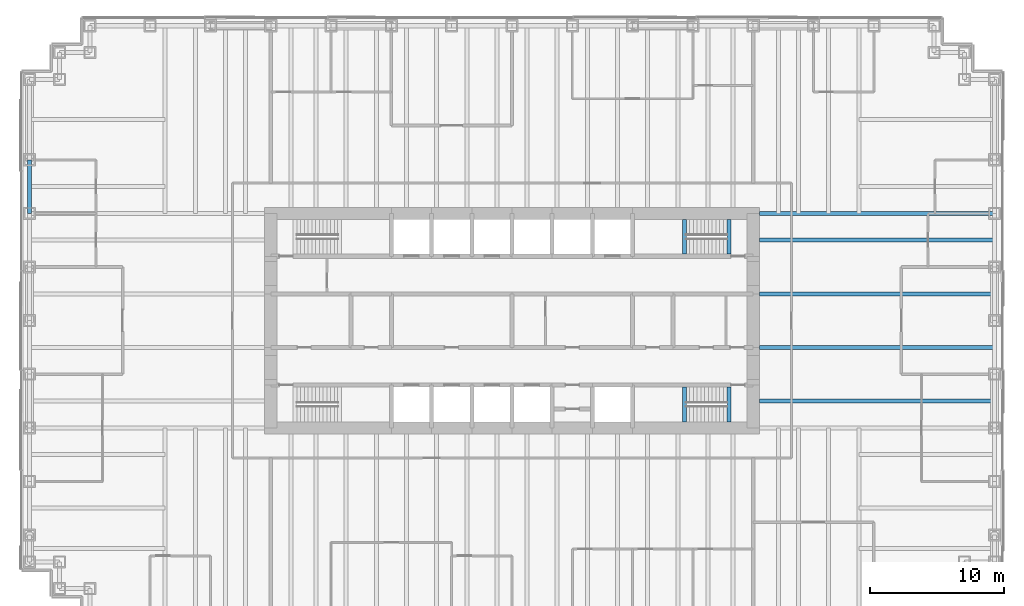
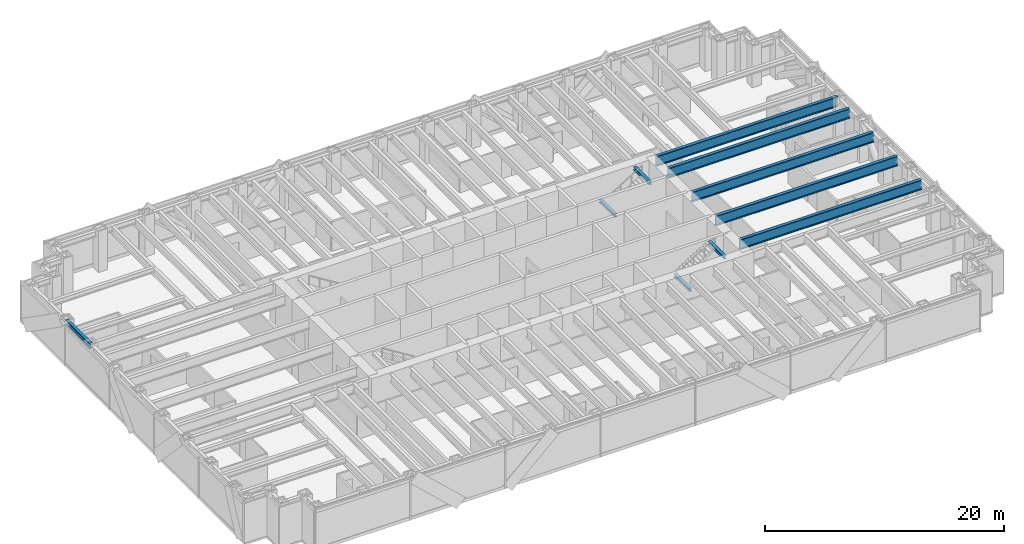
# One storey, part 5 of 15: 10 beams.
"""IFC4 building model written with IfcOpenShell, lengths in metres."""

from ifc_helpers import new_model, si_unit, direction, frame, origin, origin_2d, place, context, subcontext, project, spatial, i_section, extrude, material, material_profile, profile_set, type_object, element, save


model = new_model("IFC4")

# Units and contexts
model_context = context("Model", 3, precision=1e-05, world=origin(), true_north=direction((0.0, 1.0)))
body_context = subcontext(model_context, "Body", "Model", "MODEL_VIEW")
ifc_project = project(units=[si_unit("LENGTHUNIT", "METRE"), si_unit("AREAUNIT", "SQUARE_METRE"), si_unit("VOLUMEUNIT", "CUBIC_METRE"), si_unit("PLANEANGLEUNIT", "RADIAN"), si_unit("MASSUNIT", "GRAM", prefix="KILO")], contexts=[model_context])

# Site, building, storey
site_placement = place(None, origin())
site = spatial("IfcSite", under=ifc_project, at=site_placement, CompositionType="ELEMENT")
building_placement = place(site_placement, origin())
building = spatial("IfcBuilding", under=site, at=building_placement, Name="Rheinbord Bourse Tower", CompositionType="ELEMENT")
storey_placement = place(building_placement, frame((0.0, 0.0, 142.5)))
storey = spatial("IfcBuildingStorey", under=building, at=storey_placement, Name="L31", CompositionType="ELEMENT", Elevation=142.5)

# Beams
ifc_material_1 = material(Name="Steel S460", Category="steel")
ifc_material_profile_1 = material_profile(ifc_material_1, i_section(OverallWidth=0.302001953125, OverallDepth=1.008056640625, WebThickness=0.02099609375, FlangeThickness=0.0400390625, at=origin_2d()), Name="HEM 1000")
ifc_profile_set_1 = profile_set([ifc_material_profile_1], Name="Steel S460")
beam_type_1 = type_object("IfcBeamType", Name="END BEAM HEM 1000", PredefinedType="BEAM", material=ifc_profile_set_1)
for number, where, z_axis, x_axis, name in (
    (1, (54.449951171875, 18.0, 3.535888671875), (1.0, 0.0, 0.0), (0.0, 1.0, 0.0), "End beam east 18 L32"),
    (2, (54.449951171875, 22.0, 3.535888671875), (1.0, 0.0, 0.0), (0.0, 1.0, 0.0), "End beam east 22 L32"),
    (3, (54.449951171875, 26.0, 3.535888671875), (1.0, 0.0, 0.0), (0.0, 1.0, 0.0), "End beam east 26 L32"),
    (4, (54.449951171875, 30.0, 3.535888671875), (1.0, 0.0, 0.0), (0.0, 1.0, 0.0), "End beam east 30 L32"),
):
    element("IfcBeam", number, at=place(storey_placement, frame(where, z_axis=z_axis, x_axis=x_axis)), inside=storey, type_object=beam_type_1, Name=name, PredefinedType="BEAM", context=body_context, shape_type="SweptSolid", body=[
        extrude(i_section(OverallWidth=0.302001953125, OverallDepth=1.008056640625, WebThickness=0.02099609375, FlangeThickness=0.0400390625, at=origin_2d()), origin(), (0.0, 0.0, 1.0), 17.550048828125),
    ])
ifc_material_2 = material(Name="Steel S460", Category="steel")
ifc_material_profile_2 = material_profile(ifc_material_2, i_section(OverallWidth=0.302001953125, OverallDepth=1.008056640625, WebThickness=0.02099609375, FlangeThickness=0.0400390625, at=origin_2d()), Name="HEM 1000")
ifc_profile_set_2 = profile_set([ifc_material_profile_2], Name="Steel S460")
beam_type_2 = type_object("IfcBeamType", Name="GIRDER HEM 1000", PredefinedType="BEAM", material=ifc_profile_set_2)
beam_1_placement = place(storey_placement, frame((54.449951171875, 32.0, 3.535888671875), z_axis=(1.0, 0.0, 0.0), x_axis=(0.0, 1.0, 0.0)))
element("IfcBeam", 5, at=beam_1_placement, inside=storey, type_object=beam_type_2, Name="Girder east 32 L32", PredefinedType="BEAM", context=body_context, shape_type="SweptSolid", body=[
    extrude(i_section(OverallWidth=0.302001953125, OverallDepth=1.008056640625, WebThickness=0.02099609375, FlangeThickness=0.0400390625, at=origin_2d()), origin(), (0.0, 0.0, 1.0), 17.550048828125),
])
ifc_material_3 = material(Name="Steel S460", Category="steel")
ifc_material_profile_3 = material_profile(ifc_material_3, i_section(OverallWidth=0.300048828125, OverallDepth=0.300048828125, WebThickness=0.010986328125, FlangeThickness=0.01904296875, at=origin_2d()), Name="HEB 300")
ifc_profile_set_3 = profile_set([ifc_material_profile_3], Name="Steel S460")
beam_type_3 = type_object("IfcBeamType", Name="LANDING TRIMMER HEB 300", PredefinedType="BEAM", material=ifc_profile_set_3)
for number, where, z_axis, x_axis, name in (
    (6, (48.8701171875, 16.449951171875, 1.75), (0.0, 1.0, 0.0), (-1.0, 0.0, 0.0), "Landing trimmer ST3 L31"),
    (7, (52.199951171875, 16.449951171875, 3.889892578125), (0.0, 1.0, 0.0), (-1.0, 0.0, 0.0), "Well trimmer ST3 under L32"),
    (8, (48.8701171875, 28.949951171875, 1.75), (0.0, 1.0, 0.0), (-1.0, 0.0, 0.0), "Landing trimmer ST4 L31"),
    (9, (52.199951171875, 28.949951171875, 3.889892578125), (0.0, 1.0, 0.0), (-1.0, 0.0, 0.0), "Well trimmer ST4 under L32"),
):
    element("IfcBeam", number, at=place(storey_placement, frame(where, z_axis=z_axis, x_axis=x_axis)), inside=storey, type_object=beam_type_3, Name=name, PredefinedType="BEAM", context=body_context, shape_type="SweptSolid", body=[
        extrude(i_section(OverallWidth=0.300048828125, OverallDepth=0.300048828125, WebThickness=0.010986328125, FlangeThickness=0.01904296875, at=origin_2d()), origin(), (0.0, 0.0, 1.0), 2.60009765625),
    ])
ifc_material_4 = material(Name="Steel S460", Category="steel")
ifc_material_profile_4 = material_profile(ifc_material_4, i_section(OverallWidth=0.305908203125, OverallDepth=0.572021484375, WebThickness=0.02099609375, FlangeThickness=0.0400390625, at=origin_2d()), Name="HEM 550")
ifc_profile_set_4 = profile_set([ifc_material_profile_4], Name="Steel S460")
beam_type_4 = type_object("IfcBeamType", Name="SPANDREL HEM 550", PredefinedType="SPANDREL", material=ifc_profile_set_4)
beam_2_placement = place(storey_placement, frame((0.0, 36.0, 3.75390625), z_axis=(0.0, -1.0, 0.0), x_axis=(1.0, 0.0, 0.0)))
element("IfcBeam", 10, at=beam_2_placement, inside=storey, type_object=beam_type_4, Name="Spandrel W-36-W-32 under L32", PredefinedType="SPANDREL", context=body_context, shape_type="SweptSolid", body=[
    extrude(i_section(OverallWidth=0.305908203125, OverallDepth=0.572021484375, WebThickness=0.02099609375, FlangeThickness=0.0400390625, at=origin_2d()), origin(), (0.0, 0.0, 1.0), 4.0),
])

save(model, "model.ifc")
